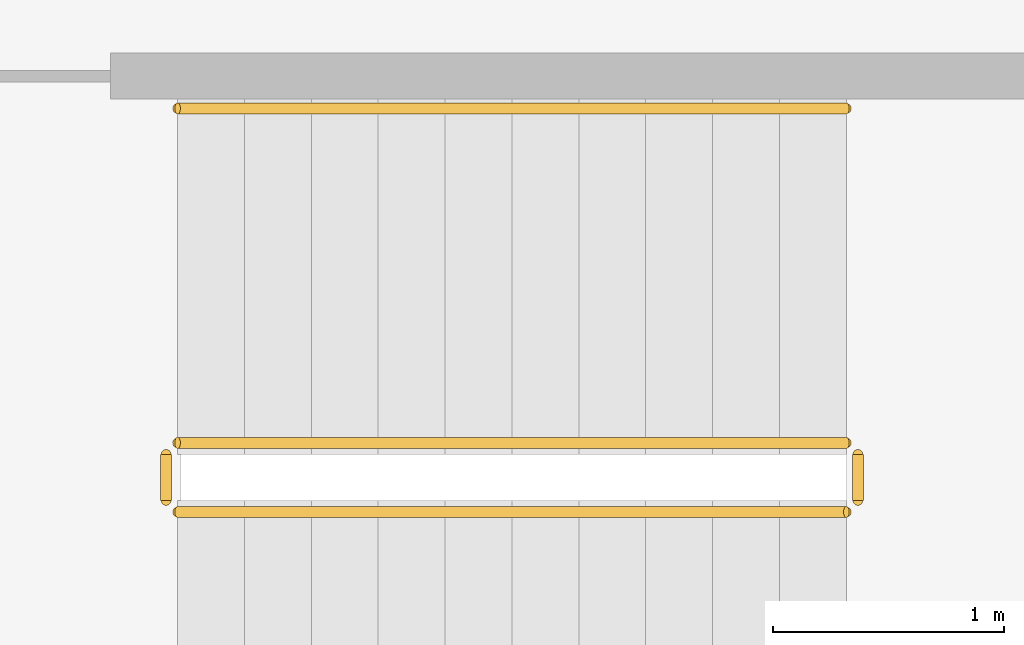
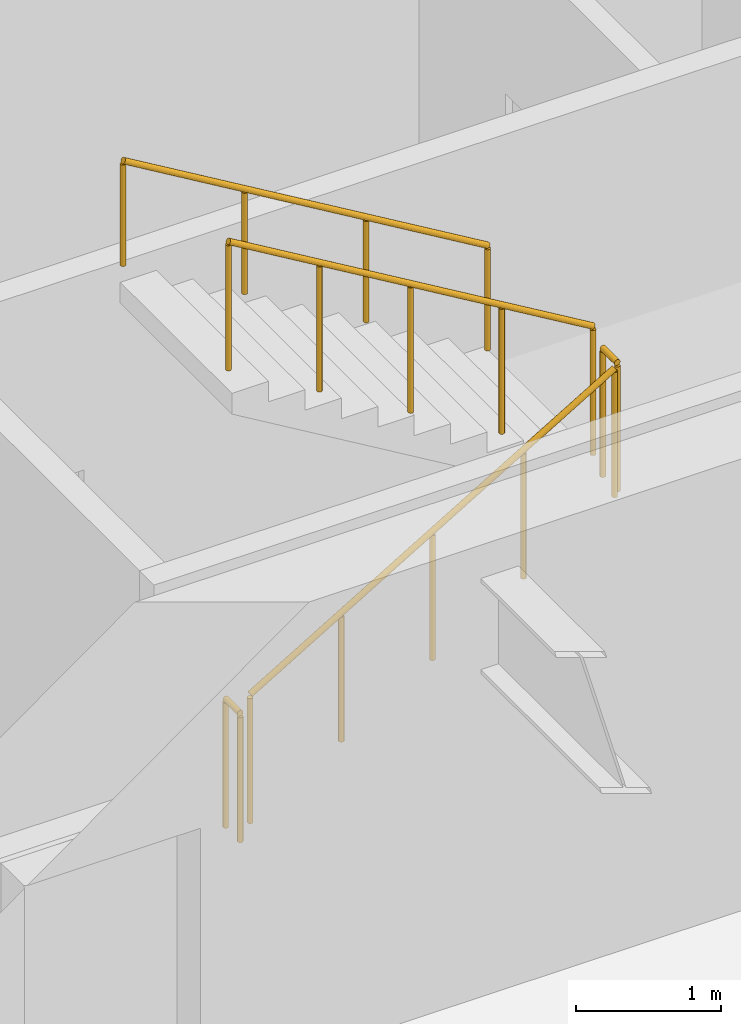
# One storey, part 21 of 22: 5 railings.
"""IFC4 building model written with IfcOpenShell, lengths in metres."""

from ifc_helpers import new_model, si_unit, direction, frame, origin, origin_2d, place, context, subcontext, project, spatial, circle, extrude, material, type_object, element, save


model = new_model("IFC4")

# Units and contexts
model_context = context("Model", 3, precision=1e-05, world=origin(), true_north=direction((0.0, 1.0)))
body_context = subcontext(model_context, "Body", "Model", "MODEL_VIEW")
ifc_project = project(units=[si_unit("LENGTHUNIT", "METRE"), si_unit("AREAUNIT", "SQUARE_METRE"), si_unit("VOLUMEUNIT", "CUBIC_METRE"), si_unit("PLANEANGLEUNIT", "RADIAN"), si_unit("MASSUNIT", "GRAM", prefix="KILO")], contexts=[model_context])

# Site, building, storey
site_placement = place(None, origin())
site = spatial("IfcSite", under=ifc_project, at=site_placement, CompositionType="ELEMENT")
building_placement = place(site_placement, origin())
building = spatial("IfcBuilding", under=site, at=building_placement, Name="Putna Gate Headquarters", CompositionType="ELEMENT")
storey_placement = place(building_placement, frame((0.0, 0.0, 193.60009765625)))
storey = spatial("IfcBuildingStorey", under=building, at=storey_placement, Name="L48", CompositionType="ELEMENT", Elevation=193.60009765625)

# Railings
ifc_material_1 = material(Name="Powder-coated steel stair guardrail", Category="steel")
railing_type_1 = type_object("IfcRailingType", Name="RAIL-STAIR-GUARD-1100", PredefinedType="GUARDRAIL", material=ifc_material_1)
railing_1_placement = place(storey_placement, frame((57.89990234375, 21.10009765625, 0.172607421875)))
element("IfcRailing", 1, at=railing_1_placement, inside=storey, type_object=railing_type_1, Name="L48 ST2 stair guard 1", PredefinedType="GUARDRAIL", context=body_context, shape_type="SweptSolid", body=[
    extrude(circle(Radius=0.02392578125, at=origin_2d()), frame((0.0, 0.0, 1.076171875), z_axis=(0.859160404282, 0.0, 0.51170636083), x_axis=(0.0, 1.0, 0.0)), (0.0, 0.0, 1.0), 3.37548828125),
    extrude(circle(Radius=0.02099609375, at=origin_2d()), origin(), (0.0, 0.0, 1.0), 1.052001953125),
    extrude(circle(Radius=0.02099609375, at=origin_2d()), frame((0.72509765625, 0.0, 0.431884765625)), (0.0, 0.0, 1.0), 1.052001953125),
    extrude(circle(Radius=0.02099609375, at=origin_2d()), frame((1.4501953125, 0.0, 0.86376953125)), (0.0, 0.0, 1.0), 1.052001953125),
    extrude(circle(Radius=0.02099609375, at=origin_2d()), frame((2.175048828125, 0.0, 1.29541015625)), (0.0, 0.0, 1.0), 1.052001953125),
    extrude(circle(Radius=0.02099609375, at=origin_2d()), frame((2.900146484375, 0.0, 1.727294921875)), (0.0, 0.0, 1.0), 1.052001953125),
])
railing_2_placement = place(storey_placement, frame((60.85009765625, 21.14990234375, 1.89990234375)))
element("IfcRailing", 2, at=railing_2_placement, inside=storey, type_object=railing_type_1, Name="L48 ST2 stair guard 2", PredefinedType="GUARDRAIL", context=body_context, shape_type="SweptSolid", body=[
    extrude(circle(Radius=0.02392578125, at=origin_2d()), frame((0.0, 0.0, 1.076171875), z_axis=(0.0, 1.0, 0.0), x_axis=(-1.0, 0.0, 0.0)), (0.0, 0.0, 1.0), 0.2001953125),
    extrude(circle(Radius=0.02099609375, at=origin_2d()), origin(), (0.0, 0.0, 1.0), 1.052001953125),
    extrude(circle(Radius=0.02099609375, at=origin_2d()), frame((0.0, 0.2001953125, 0.0)), (0.0, 0.0, 1.0), 1.052001953125),
])
railing_3_placement = place(storey_placement, frame((60.800048828125, 21.39990234375, 2.072509765625)))
element("IfcRailing", 3, at=railing_3_placement, inside=storey, type_object=railing_type_1, Name="L48 ST2 stair guard 3", PredefinedType="GUARDRAIL", context=body_context, shape_type="SweptSolid", body=[
    extrude(circle(Radius=0.02392578125, at=origin_2d()), frame((0.0, 0.0, 1.076171875), z_axis=(-0.859160404282, 0.0, 0.51170636083), x_axis=(0.0, -1.0, 0.0)), (0.0, 0.0, 1.0), 3.37548828125),
    extrude(circle(Radius=0.02099609375, at=origin_2d()), origin(), (0.0, 0.0, 1.0), 1.052001953125),
    extrude(circle(Radius=0.02099609375, at=origin_2d()), frame((-0.72509765625, 0.0, 0.431884765625)), (0.0, 0.0, 1.0), 1.052001953125),
    extrude(circle(Radius=0.02099609375, at=origin_2d()), frame((-1.4501953125, 0.0, 0.86376953125)), (0.0, 0.0, 1.0), 1.052001953125),
    extrude(circle(Radius=0.02099609375, at=origin_2d()), frame((-2.175048828125, 0.0, 1.29541015625)), (0.0, 0.0, 1.0), 1.052001953125),
    extrude(circle(Radius=0.02099609375, at=origin_2d()), frame((-2.900146484375, 0.0, 1.727294921875)), (0.0, 0.0, 1.0), 1.052001953125),
])
railing_4_placement = place(storey_placement, frame((57.85009765625, 21.14990234375, 0.0)))
element("IfcRailing", 4, at=railing_4_placement, inside=storey, type_object=railing_type_1, Name="L48 ST2 stair guard 4", PredefinedType="GUARDRAIL", context=body_context, shape_type="SweptSolid", body=[
    extrude(circle(Radius=0.02392578125, at=origin_2d()), frame((0.0, 0.0, 1.076171875), z_axis=(0.0, 1.0, 0.0), x_axis=(-1.0, 0.0, 0.0)), (0.0, 0.0, 1.0), 0.2001953125),
    extrude(circle(Radius=0.02099609375, at=origin_2d()), origin(), (0.0, 0.0, 1.0), 1.052001953125),
    extrude(circle(Radius=0.02099609375, at=origin_2d()), frame((0.0, 0.2001953125, 0.0)), (0.0, 0.0, 1.0), 1.052001953125),
])
ifc_material_2 = material(Name="Brushed stainless steel handrail", Category="steel")
railing_type_2 = type_object("IfcRailingType", Name="RAIL-STAIR-HAND-900", PredefinedType="HANDRAIL", material=ifc_material_2)
railing_5_placement = place(storey_placement, frame((60.800048828125, 22.85009765625, 2.072509765625)))
element("IfcRailing", 5, at=railing_5_placement, inside=storey, type_object=railing_type_2, Name="L48 ST2 stair handrail 2", PredefinedType="HANDRAIL", context=body_context, shape_type="SweptSolid", body=[
    extrude(circle(Radius=0.02392578125, at=origin_2d()), frame((0.0, 0.0, 0.8759765625), z_axis=(-0.859160404282, 0.0, 0.51170636083), x_axis=(0.0, -1.0, 0.0)), (0.0, 0.0, 1.0), 3.37548828125),
    extrude(circle(Radius=0.02099609375, at=origin_2d()), origin(), (0.0, 0.0, 1.0), 0.851806640625),
    extrude(circle(Radius=0.02099609375, at=origin_2d()), frame((-0.966796875, 0.0, 0.57568359375)), (0.0, 0.0, 1.0), 0.851806640625),
    extrude(circle(Radius=0.02099609375, at=origin_2d()), frame((-1.933349609375, 0.0, 1.151611328125)), (0.0, 0.0, 1.0), 0.851806640625),
    extrude(circle(Radius=0.02099609375, at=origin_2d()), frame((-2.900146484375, 0.0, 1.727294921875)), (0.0, 0.0, 1.0), 0.851806640625),
])

save(model, "model.ifc")
